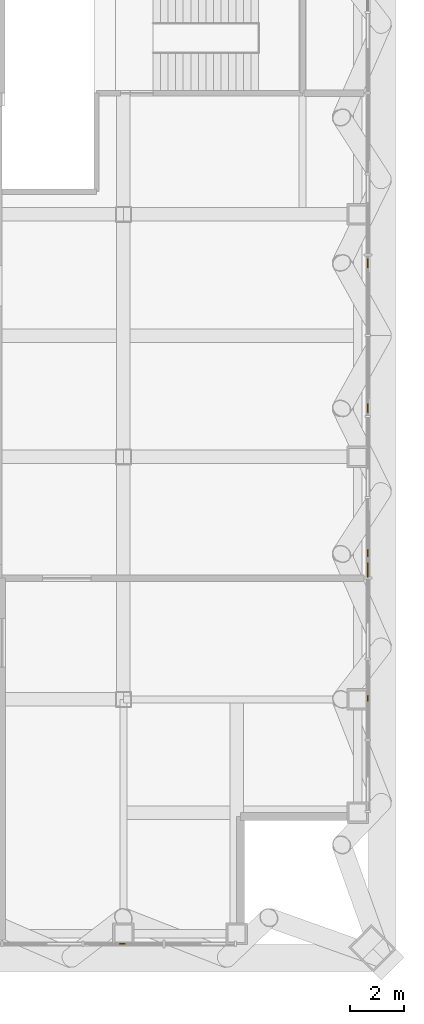
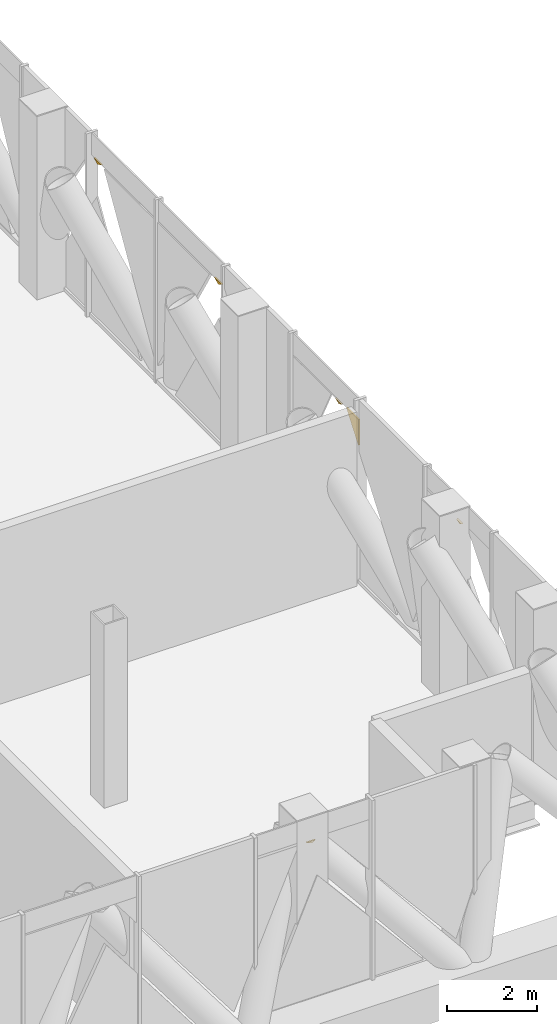
# One storey, part 23 of 27: 6 coverings.
"""IFC4 building model written with IfcOpenShell, lengths in metres."""

from ifc_helpers import new_model, si_unit, direction, frame, origin, place, context, subcontext, project, spatial, polyline, outline, extrude, material, layer, layer_set, type_object, element, save


model = new_model("IFC4")

# Units and contexts
model_context = context("Model", 3, precision=1e-05, world=origin(), true_north=direction((0.0, 1.0)))
body_context = subcontext(model_context, "Body", "Model", "MODEL_VIEW")
ifc_project = project(units=[si_unit("LENGTHUNIT", "METRE"), si_unit("AREAUNIT", "SQUARE_METRE"), si_unit("VOLUMEUNIT", "CUBIC_METRE"), si_unit("PLANEANGLEUNIT", "RADIAN"), si_unit("MASSUNIT", "GRAM", prefix="KILO")], contexts=[model_context])

# Site, building, storey
site_placement = place(None, origin())
site = spatial("IfcSite", under=ifc_project, at=site_placement, CompositionType="ELEMENT")
building_placement = place(site_placement, origin())
building = spatial("IfcBuilding", under=site, at=building_placement, Name="Malebo Sky Hospital", CompositionType="ELEMENT")
storey_placement = place(building_placement, frame((0.0, 0.0, 245.0)))
storey = spatial("IfcBuildingStorey", under=building, at=storey_placement, Name="L59", CompositionType="ELEMENT", Elevation=245.0)

# Coverings
ifc_material = material(Name="Anodised aluminium, natural silver insulated infill panel", Category="aluminium")
ifc_layer = layer(ifc_material, 0.0400390625)
ifc_layer_set = layer_set([ifc_layer], Name="BRACE INFILL PANEL 40")
covering_type = type_object("IfcCoveringType", Name="BRACE INFILL PANEL 40", PredefinedType="CLADDING", material=ifc_layer_set)
covering_1_placement = place(storey_placement, frame((73.4609375, 39.425048828125, 4.29150390625), z_axis=(0.0, 0.0, 1.0), x_axis=(-1.0, 0.0, 0.0)))
element("IfcCovering", 1, at=covering_1_placement, inside=storey, type_object=covering_type, Name="Brace infill panel 2.4", PredefinedType="CLADDING", context=body_context, shape_type="SweptSolid", body=[
    extrude(outline(polyline([(-0.031005859375, 0.0), (0.114501953125, 0.052978515625), (-0.114501953125, 0.052978515625), (-0.031005859375, 0.0)])), frame((0.0, 0.02001953125, 0.0), z_axis=(0.0, -1.0, 0.0), x_axis=(1.0, 0.0, 0.0)), (0.0, 0.0, 1.0), 0.0400390625),
])
covering_2_placement = place(storey_placement, frame((82.574951171875, 64.688720703125, 4.29248046875), z_axis=(0.0, 0.0, 1.0), x_axis=(0.0, -1.0, 0.0)))
element("IfcCovering", 2, at=covering_2_placement, inside=storey, type_object=covering_type, Name="Brace infill panel 6.3", PredefinedType="CLADDING", context=body_context, shape_type="SweptSolid", body=[
    extrude(outline(polyline([(-0.009521484375, 0.0), (0.168701171875, 0.082763671875), (-0.168701171875, 0.082763671875), (-0.009521484375, 0.0)])), frame((0.0, 0.02001953125, 0.0), z_axis=(0.0, -1.0, 0.0), x_axis=(1.0, 0.0, 0.0)), (0.0, 0.0, 1.0), 0.0400390625),
])
covering_3_placement = place(storey_placement, frame((82.574951171875, 59.311279296875, 4.29248046875), z_axis=(0.0, 0.0, 1.0), x_axis=(0.0, -1.0, 0.0)))
element("IfcCovering", 3, at=covering_3_placement, inside=storey, type_object=covering_type, Name="Brace infill panel 7.3", PredefinedType="CLADDING", context=body_context, shape_type="SweptSolid", body=[
    extrude(outline(polyline([(0.009521484375, 0.0), (0.168701171875, 0.082763671875), (-0.168701171875, 0.082763671875), (0.009521484375, 0.0)])), frame((0.0, 0.02001953125, 0.0), z_axis=(0.0, -1.0, 0.0), x_axis=(1.0, 0.0, 0.0)), (0.0, 0.0, 1.0), 0.0400390625),
])
covering_4_placement = place(storey_placement, frame((82.574951171875, 53.307373046875, 3.68994140625), z_axis=(0.0, 0.0, 1.0), x_axis=(0.0, -1.0, 0.0)))
element("IfcCovering", 4, at=covering_4_placement, inside=storey, type_object=covering_type, Name="Brace infill panel 9.2", PredefinedType="CLADDING", context=body_context, shape_type="SweptSolid", body=[
    extrude(outline(polyline([(0.27001953125, 0.0), (0.27001953125, 0.7119140625), (-0.27001953125, 0.7119140625), (0.27001953125, 0.0)])), frame((0.0, 0.02001953125, 0.0), z_axis=(0.0, -1.0, 0.0), x_axis=(1.0, 0.0, 0.0)), (0.0, 0.0, 1.0), 0.0400390625),
])
covering_5_placement = place(storey_placement, frame((82.574951171875, 53.928466796875, 4.2919921875), z_axis=(0.0, 0.0, 1.0), x_axis=(0.0, -1.0, 0.0)))
element("IfcCovering", 5, at=covering_5_placement, inside=storey, type_object=covering_type, Name="Brace infill panel 9.4", PredefinedType="CLADDING", context=body_context, shape_type="SweptSolid", body=[
    extrude(outline(polyline([(0.0234375, 0.0), (0.141845703125, 0.068115234375), (-0.141845703125, 0.068115234375), (0.0234375, 0.0)])), frame((0.0, 0.02001953125, 0.0), z_axis=(0.0, -1.0, 0.0), x_axis=(1.0, 0.0, 0.0)), (0.0, 0.0, 1.0), 0.0400390625),
])
covering_6_placement = place(storey_placement, frame((82.574951171875, 48.5390625, 4.29150390625), z_axis=(0.0, 0.0, 1.0), x_axis=(0.0, -1.0, 0.0)))
element("IfcCovering", 6, at=covering_6_placement, inside=storey, type_object=covering_type, Name="Brace infill panel 11.4", PredefinedType="CLADDING", context=body_context, shape_type="SweptSolid", body=[
    extrude(outline(polyline([(0.031005859375, 0.0), (0.114501953125, 0.052978515625), (-0.114501953125, 0.052978515625), (0.031005859375, 0.0)])), frame((0.0, 0.02001953125, 0.0), z_axis=(0.0, -1.0, 0.0), x_axis=(1.0, 0.0, 0.0)), (0.0, 0.0, 1.0), 0.0400390625),
])

save(model, "model.ifc")
